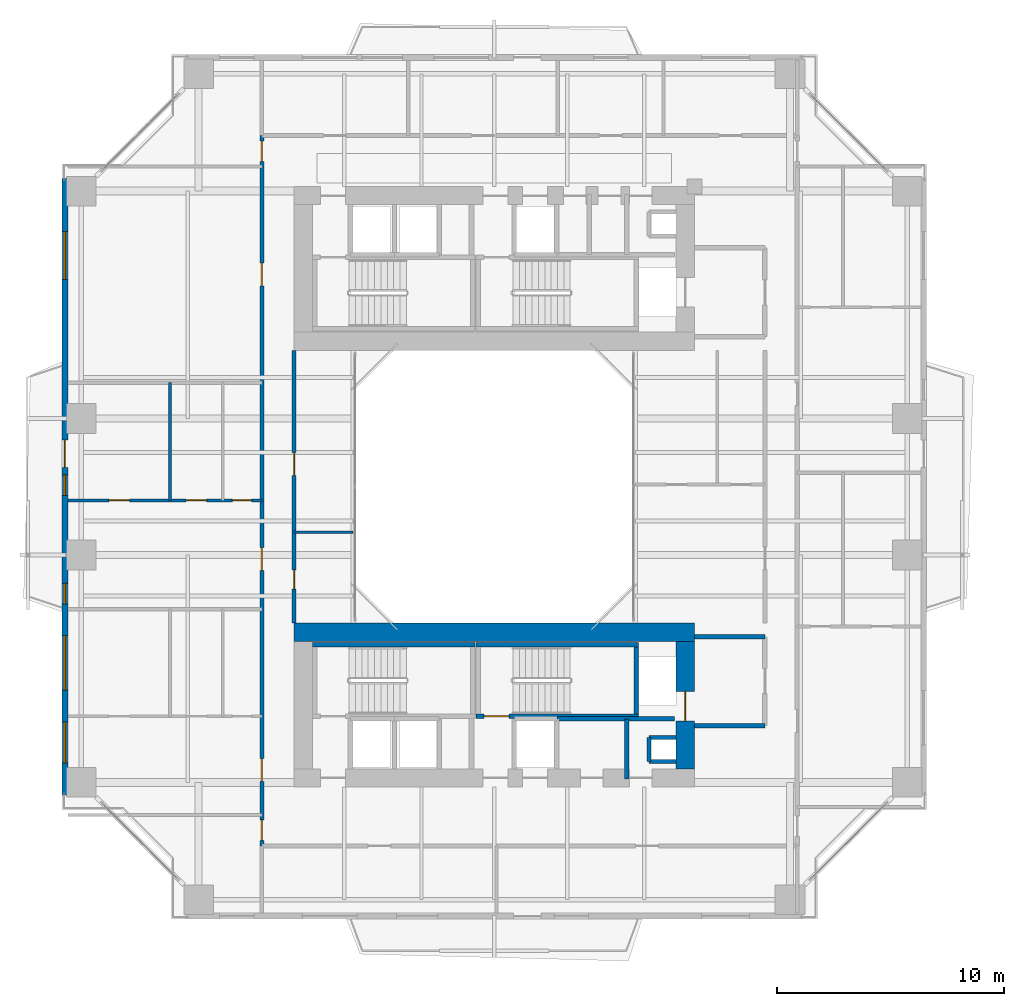
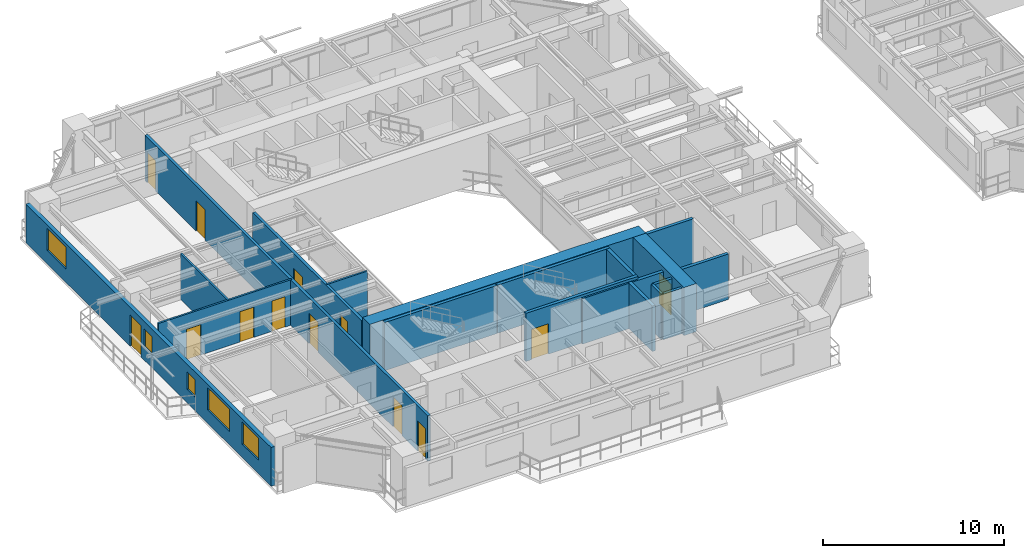
# One storey, part 13 of 24: 19 walls, 13 doors, 5 windows, 18 openings.
"""IFC4 building model written with IfcOpenShell, lengths in metres."""

from ifc_helpers import new_model, si_unit, direction, frame, frame_2d, origin, place, context, subcontext, project, spatial, rectangle, extrude, source, transform, mapped, material, layer, layer_set, type_object, element, fill, save


model = new_model("IFC4")

# Units and contexts
model_context = context("Model", 3, precision=1e-05, world=origin(), true_north=direction((0.0, 1.0)))
body_context = subcontext(model_context, "Body", "Model", "MODEL_VIEW")
ifc_project = project(units=[si_unit("LENGTHUNIT", "METRE"), si_unit("AREAUNIT", "SQUARE_METRE"), si_unit("VOLUMEUNIT", "CUBIC_METRE"), si_unit("PLANEANGLEUNIT", "RADIAN"), si_unit("MASSUNIT", "GRAM", prefix="KILO"), si_unit("THERMODYNAMICTEMPERATUREUNIT", "KELVIN"), si_unit("POWERUNIT", "WATT")], contexts=[model_context])

# Site, building, storey
site_placement = place(None, origin())
site = spatial("IfcSite", under=ifc_project, at=site_placement, CompositionType="ELEMENT")
building_placement = place(site_placement, origin())
building = spatial("IfcBuilding", under=site, at=building_placement, Name="Qiaomeng Ring Towers", CompositionType="ELEMENT")
storey_placement = place(building_placement, frame((0.0, 0.0, 69.75)))
storey = spatial("IfcBuildingStorey", under=building, at=storey_placement, Name="L19", CompositionType="ELEMENT", Elevation=69.75)

# Wall, openings, windows, door
ifc_material_1 = material(Name="Precast concrete C40", Category="concrete")
ifc_layer_1 = layer(ifc_material_1, 0.25, Name="Precast concrete C40")
ifc_layer_set_1 = layer_set([ifc_layer_1], Name="Precast concrete C40")
wall_type_1 = type_object("IfcWallType", Name="ARC-WL-EW1", PredefinedType="STANDARD", material=ifc_layer_set_1)
wall_1_placement = place(storey_placement, frame((0.125, 9.449951171875, 0.0), z_axis=(0.0, 0.0, 1.0), x_axis=(0.0, 1.0, 0.0)))
wall_1 = element("IfcWall", 1, at=wall_1_placement, inside=storey, type_object=wall_type_1, Name="L19 Tower 1 W Exterior Wall", PredefinedType="STANDARD", context=body_context, shape_type="SweptSolid", body=[
    extrude(rectangle(XDim=27.10009765625, YDim=0.25, at=frame_2d((13.550048828125, 0.0))), origin(), (0.0, 0.0, 1.0), 2.610107421875),
])
opening_1_placement = place(wall_1_placement, frame((14.39990234375, 0.0, 0.0)))
opening_1 = element("IfcOpeningElement", 2, at=opening_1_placement, cuts=wall_1, Name="Opening BD1", PredefinedType="OPENING", context=body_context, shape_type="SweptSolid", body=[
    extrude(rectangle(XDim=1.199951171875, YDim=2.10009765625, at=frame_2d((0.60009765625, 1.050048828125))), frame((0.0, 0.135009765625, 0.0), z_axis=(0.0, -1.0, 0.0), x_axis=(1.0, 0.0, 0.0)), (0.0, 0.0, 1.0), 0.27001953125),
])
opening_2_placement = place(wall_1_placement, frame((1.402587890625, 0.0, 0.89990234375)))
opening_2 = element("IfcOpeningElement", 3, at=opening_2_placement, cuts=wall_1, Name="Opening WN1", PredefinedType="OPENING", context=body_context, shape_type="SweptSolid", body=[
    extrude(rectangle(XDim=1.800048828125, YDim=1.5, at=frame_2d((0.89990234375, 0.75))), frame((0.0, 0.135009765625, 0.0), z_axis=(0.0, -1.0, 0.0), x_axis=(1.0, 0.0, 0.0)), (0.0, 0.0, 1.0), 0.27001953125),
])
opening_3_placement = place(wall_1_placement, frame((22.6630859375, 0.0, 0.89990234375)))
opening_3 = element("IfcOpeningElement", 4, at=opening_3_placement, cuts=wall_1, Name="Opening WN4", PredefinedType="OPENING", context=body_context, shape_type="SweptSolid", body=[
    extrude(rectangle(XDim=2.10009765625, YDim=1.47998046875, at=frame_2d((1.050048828125, 0.739990234375))), frame((0.0, 0.135009765625, 0.0), z_axis=(0.0, -1.0, 0.0), x_axis=(1.0, 0.0, 0.0)), (0.0, 0.0, 1.0), 0.27001953125),
])
opening_4_placement = place(wall_1_placement, frame((4.607421875, 0.0, 0.89990234375)))
opening_4 = element("IfcOpeningElement", 5, at=opening_4_placement, cuts=wall_1, Name="Opening WN6", PredefinedType="OPENING", context=body_context, shape_type="SweptSolid", body=[
    extrude(rectangle(XDim=2.39990234375, YDim=1.5, at=frame_2d((1.199951171875, 0.75))), frame((0.0, 0.135009765625, 0.0), z_axis=(0.0, -1.0, 0.0), x_axis=(1.0, 0.0, 0.0)), (0.0, 0.0, 1.0), 0.27001953125),
])
opening_5_placement = place(wall_1_placement, frame((13.169921875, 0.0, 0.89990234375)))
opening_5 = element("IfcOpeningElement", 6, at=opening_5_placement, cuts=wall_1, Name="Opening WN5", PredefinedType="OPENING", context=body_context, shape_type="SweptSolid", body=[
    extrude(rectangle(XDim=0.89990234375, YDim=1.199951171875, at=frame_2d((0.449951171875, 0.60009765625))), frame((0.0, 0.135009765625, 0.0), z_axis=(0.0, -1.0, 0.0), x_axis=(1.0, 0.0, 0.0)), (0.0, 0.0, 1.0), 0.27001953125),
])
opening_6_placement = place(wall_1_placement, frame((8.405029296875, 0.0, 0.89990234375)))
opening_6 = element("IfcOpeningElement", 7, at=opening_6_placement, cuts=wall_1, Name="Opening WN5", PredefinedType="OPENING", context=body_context, shape_type="SweptSolid", body=[
    extrude(rectangle(XDim=0.89990234375, YDim=1.199951171875, at=frame_2d((0.449951171875, 0.60009765625))), frame((0.0, 0.135009765625, 0.0), z_axis=(0.0, -1.0, 0.0), x_axis=(1.0, 0.0, 0.0)), (0.0, 0.0, 1.0), 0.27001953125),
])
ifc_material_2 = material(Name="Low-E dark-grey laminated double glazing", Category="glass")
window_type_1 = type_object("IfcWindowType", Name="ARC-WN-4", PartitioningType="TRIPLE_PANEL_VERTICAL", PredefinedType="WINDOW", material=ifc_material_2)
shared_shape_1 = source(origin(), body_context, "Body", "SweptSolid", [
    extrude(rectangle(XDim=2.10009765625, YDim=1.47998046875, at=frame_2d((1.050048828125, 0.739990234375))), frame((0.0, 0.030029296875, 0.0), z_axis=(0.0, -1.0, 0.0), x_axis=(1.0, 0.0, 0.0)), (0.0, 0.0, 1.0), 0.06005859375),
])
window_1_placement = place(opening_3_placement, origin())
window_1 = element("IfcWindow", 8, at=window_1_placement, inside=storey, type_object=window_type_1, Name="L19 Exterior Window WN4", OverallHeight=1.47998046875, OverallWidth=2.10009765625, PartitioningType="TRIPLE_PANEL_VERTICAL", PredefinedType="WINDOW", context=body_context, shape_type="MappedRepresentation", body=[
    mapped(shared_shape_1, transform((0.0, 0.0, 0.0), x_axis=(1.0, 0.0, 0.0), y_axis=(0.0, 1.0, 0.0), z_axis=(0.0, 0.0, 1.0), scale=1.0)),
])
fill(opening_3, window_1)
door_type_1 = type_object("IfcDoorType", Name="ARC-DR-BD1", OperationType="NOTDEFINED", PredefinedType="DOOR", material=ifc_material_2)
shared_shape_2 = source(origin(), body_context, "Body", "SweptSolid", [
    extrude(rectangle(XDim=1.199951171875, YDim=2.10009765625, at=frame_2d((0.60009765625, 1.050048828125))), frame((0.0, 0.02490234375, 0.0), z_axis=(0.0, -1.0, 0.0), x_axis=(1.0, 0.0, 0.0)), (0.0, 0.0, 1.0), 0.050048828125),
])
door_1_placement = place(opening_1_placement, frame((1.199951171875, 0.0, 0.0), z_axis=(0.0, 0.0, 1.0), x_axis=(-1.0, 0.0, 0.0)))
door_1 = element("IfcDoor", 9, at=door_1_placement, inside=storey, type_object=door_type_1, Name="L19 W Balcony Glazed Door", OperationType="SINGLE_SWING_LEFT", OverallHeight=2.10009765625, OverallWidth=1.199951171875, PredefinedType="DOOR", context=body_context, shape_type="MappedRepresentation", body=[
    mapped(shared_shape_2, transform((0.0, 0.0, 0.0), x_axis=(1.0, 0.0, 0.0), y_axis=(0.0, 1.0, 0.0), z_axis=(0.0, 0.0, 1.0), scale=1.0)),
])
fill(opening_1, door_1)
window_type_2 = type_object("IfcWindowType", Name="ARC-WN-6", PartitioningType="TRIPLE_PANEL_VERTICAL", PredefinedType="WINDOW", material=ifc_material_2)
shared_shape_3 = source(origin(), body_context, "Body", "SweptSolid", [
    extrude(rectangle(XDim=2.39990234375, YDim=1.5, at=frame_2d((1.199951171875, 0.75))), frame((0.0, 0.030029296875, 0.0), z_axis=(0.0, -1.0, 0.0), x_axis=(1.0, 0.0, 0.0)), (0.0, 0.0, 1.0), 0.06005859375),
])
window_2_placement = place(opening_4_placement, origin())
window_2 = element("IfcWindow", 10, at=window_2_placement, inside=storey, type_object=window_type_2, Name="L19 Exterior Window WN6", OverallHeight=1.5, OverallWidth=2.39990234375, PartitioningType="TRIPLE_PANEL_VERTICAL", PredefinedType="WINDOW", context=body_context, shape_type="MappedRepresentation", body=[
    mapped(shared_shape_3, transform((0.0, 0.0, 0.0), x_axis=(1.0, 0.0, 0.0), y_axis=(0.0, 1.0, 0.0), z_axis=(0.0, 0.0, 1.0), scale=1.0)),
])
fill(opening_4, window_2)
window_type_3 = type_object("IfcWindowType", Name="ARC-WN-1", PartitioningType="DOUBLE_PANEL_VERTICAL", PredefinedType="WINDOW", material=ifc_material_2)
shared_shape_4 = source(origin(), body_context, "Body", "SweptSolid", [
    extrude(rectangle(XDim=1.800048828125, YDim=1.5, at=frame_2d((0.89990234375, 0.75))), frame((0.0, 0.030029296875, 0.0), z_axis=(0.0, -1.0, 0.0), x_axis=(1.0, 0.0, 0.0)), (0.0, 0.0, 1.0), 0.06005859375),
])
window_3_placement = place(opening_2_placement, origin())
window_3 = element("IfcWindow", 11, at=window_3_placement, inside=storey, type_object=window_type_3, Name="L19 Exterior Window WN6", OverallHeight=1.5, OverallWidth=1.800048828125, PartitioningType="TRIPLE_PANEL_VERTICAL", PredefinedType="WINDOW", context=body_context, shape_type="MappedRepresentation", body=[
    mapped(shared_shape_4, transform((0.0, 0.0, 0.0), x_axis=(1.0, 0.0, 0.0), y_axis=(0.0, 1.0, 0.0), z_axis=(0.0, 0.0, 1.0), scale=1.0)),
])
fill(opening_2, window_3)
window_type_4 = type_object("IfcWindowType", Name="ARC-WN-5", PartitioningType="SINGLE_PANEL", PredefinedType="WINDOW", material=ifc_material_2)
shared_shape_5 = source(origin(), body_context, "Body", "SweptSolid", [
    extrude(rectangle(XDim=0.89990234375, YDim=1.199951171875, at=frame_2d((0.449951171875, 0.60009765625))), frame((0.0, 0.030029296875, 0.0), z_axis=(0.0, -1.0, 0.0), x_axis=(1.0, 0.0, 0.0)), (0.0, 0.0, 1.0), 0.06005859375),
])
window_4_placement = place(opening_5_placement, origin())
window_4 = element("IfcWindow", 12, at=window_4_placement, inside=storey, type_object=window_type_4, Name="L19 Exterior Window WN5", OverallHeight=1.199951171875, OverallWidth=0.89990234375, PartitioningType="SINGLE_PANEL", PredefinedType="WINDOW", context=body_context, shape_type="MappedRepresentation", body=[
    mapped(shared_shape_5, transform((0.0, 0.0, 0.0), x_axis=(1.0, 0.0, 0.0), y_axis=(0.0, 1.0, 0.0), z_axis=(0.0, 0.0, 1.0), scale=1.0)),
])
fill(opening_5, window_4)
window_5_placement = place(opening_6_placement, origin())
window_5 = element("IfcWindow", 13, at=window_5_placement, inside=storey, type_object=window_type_4, Name="L19 Exterior Window WN5", OverallHeight=1.199951171875, OverallWidth=0.89990234375, PartitioningType="SINGLE_PANEL", PredefinedType="WINDOW", context=body_context, shape_type="MappedRepresentation", body=[
    mapped(shared_shape_5, transform((0.0, 0.0, 0.0), x_axis=(1.0, 0.0, 0.0), y_axis=(0.0, 1.0, 0.0), z_axis=(0.0, 0.0, 1.0), scale=1.0)),
])
fill(opening_6, window_5)

# Walls
ifc_material_3 = material(Name="Autoclaved aerated concrete block", Category="concrete")
ifc_layer_2 = layer(ifc_material_3, 0.199951171875, Name="Autoclaved aerated concrete block")
ifc_layer_set_2 = layer_set([ifc_layer_2], Name="Autoclaved aerated concrete block")
wall_type_2 = type_object("IfcWallType", Name="ARC-WL-PW1", PredefinedType="PARTITIONING", material=ifc_layer_set_2)
for number, where, z_axis, x_axis, name in (
    (14, (27.800048828125, 16.39990234375, 0.0), (0.0, 0.0, 1.0), (1.0, 0.0, 0.0), "L19 Interior Wall PW1"),
    (15, (27.800048828125, 12.5, 0.0), (0.0, 0.0, 1.0), (1.0, 0.0, 0.0), "L19 Interior Wall PW1"),
):
    element("IfcWall", number, at=place(storey_placement, frame(where, z_axis=z_axis, x_axis=x_axis)), inside=storey, type_object=wall_type_2, Name=name, PredefinedType="PARTITIONING", context=body_context, shape_type="SweptSolid", body=[
        extrude(rectangle(XDim=3.099853515625, YDim=0.199951171875, at=frame_2d((1.5498046875, 0.0))), origin(), (0.0, 0.0, 1.0), 3.070068359375),
    ])
wall_2_placement = place(storey_placement, frame((24.820068359375, 10.14990234375, 0.0), z_axis=(0.0, 0.0, 1.0), x_axis=(0.0, 1.0, 0.0)))
element("IfcWall", 16, at=wall_2_placement, inside=storey, type_object=wall_type_2, Name="L19 Interior Wall PW1", PredefinedType="PARTITIONING", context=body_context, shape_type="SweptSolid", body=[
    extrude(rectangle(XDim=2.650146484375, YDim=0.199951171875, at=frame_2d((1.3251953125, 0.0))), origin(), (0.0, 0.0, 1.0), 3.070068359375),
])
wall_3_placement = place(storey_placement, frame((21.75, 12.800048828125, 0.0), z_axis=(0.0, 0.0, 1.0), x_axis=(1.0, 0.0, 0.0)))
element("IfcWall", 17, at=wall_3_placement, inside=storey, type_object=wall_type_2, Name="L19 Interior Wall PW1", PredefinedType="PARTITIONING", context=body_context, shape_type="SweptSolid", body=[
    extrude(rectangle(XDim=5.169921875, YDim=0.199951171875, at=frame_2d((2.5849609375, 0.0))), origin(), (0.0, 0.0, 1.0), 3.070068359375),
])

# Wall, openings, doors
ifc_layer_3 = layer(ifc_material_3, 0.179931640625, Name="Autoclaved aerated concrete block")
ifc_layer_set_3 = layer_set([ifc_layer_3], Name="Autoclaved aerated concrete block")
wall_type_3 = type_object("IfcWallType", Name="ARC-WL-PW2", PredefinedType="PARTITIONING", material=ifc_layer_set_3)
wall_4_placement = place(storey_placement, frame((8.780029296875, 7.2099609375, 0.0), z_axis=(0.0, 0.0, 1.0), x_axis=(0.0, 1.0, 0.0)))
wall_4 = element("IfcWall", 18, at=wall_4_placement, inside=storey, type_object=wall_type_3, Name="L19 Interior Wall PW2", PredefinedType="PARTITIONING", context=body_context, shape_type="SweptSolid", body=[
    extrude(rectangle(XDim=31.22998046875, YDim=0.179931640625, at=frame_2d((15.614990234375, 0.0))), origin(), (0.0, 0.0, 1.0), 3.070068359375),
])
opening_7_placement = place(wall_4_placement, frame((30.090087890625, 0.0, 0.0)))
opening_7 = element("IfcOpeningElement", 19, at=opening_7_placement, cuts=wall_4, Name="Opening ID1", PredefinedType="OPENING", context=body_context, shape_type="SweptSolid", body=[
    extrude(rectangle(XDim=0.89990234375, YDim=2.050048828125, at=frame_2d((0.449951171875, 1.02490234375))), frame((0.0, 0.099853515625, 0.0), z_axis=(0.0, -1.0, 0.0), x_axis=(1.0, 0.0, 0.0)), (0.0, 0.0, 1.0), 0.199951171875),
])
opening_8_placement = place(wall_4_placement, frame((0.239990234375, 0.0, 0.0)))
opening_8 = element("IfcOpeningElement", 20, at=opening_8_placement, cuts=wall_4, Name="Opening ID1", PredefinedType="OPENING", context=body_context, shape_type="SweptSolid", body=[
    extrude(rectangle(XDim=0.89990234375, YDim=2.050048828125, at=frame_2d((0.449951171875, 1.02490234375))), frame((0.0, 0.099853515625, 0.0), z_axis=(0.0, -1.0, 0.0), x_axis=(1.0, 0.0, 0.0)), (0.0, 0.0, 1.0), 0.199951171875),
])
opening_9_placement = place(wall_4_placement, frame((2.840087890625, 0.0, 0.0)))
opening_9 = element("IfcOpeningElement", 21, at=opening_9_placement, cuts=wall_4, Name="Opening FD4", PredefinedType="OPENING", context=body_context, shape_type="SweptSolid", body=[
    extrude(rectangle(XDim=1.0, YDim=2.050048828125, at=frame_2d((0.5, 1.02490234375))), frame((0.0, 0.099853515625, 0.0), z_axis=(0.0, -1.0, 0.0), x_axis=(1.0, 0.0, 0.0)), (0.0, 0.0, 1.0), 0.199951171875),
])
opening_10_placement = place(wall_4_placement, frame((12.110107421875, 0.0, 0.0)))
opening_10 = element("IfcOpeningElement", 22, at=opening_10_placement, cuts=wall_4, Name="Opening FD4", PredefinedType="OPENING", context=body_context, shape_type="SweptSolid", body=[
    extrude(rectangle(XDim=1.0, YDim=2.050048828125, at=frame_2d((0.5, 1.02490234375))), frame((0.0, 0.099853515625, 0.0), z_axis=(0.0, -1.0, 0.0), x_axis=(1.0, 0.0, 0.0)), (0.0, 0.0, 1.0), 0.199951171875),
])
opening_11_placement = place(wall_4_placement, frame((24.6201171875, 0.0, 0.0)))
opening_11 = element("IfcOpeningElement", 23, at=opening_11_placement, cuts=wall_4, Name="Opening FD4", PredefinedType="OPENING", context=body_context, shape_type="SweptSolid", body=[
    extrude(rectangle(XDim=1.0, YDim=2.050048828125, at=frame_2d((0.5, 1.02490234375))), frame((0.0, 0.099853515625, 0.0), z_axis=(0.0, -1.0, 0.0), x_axis=(1.0, 0.0, 0.0)), (0.0, 0.0, 1.0), 0.199951171875),
])
ifc_material_4 = material(Name="Engineered fire-rated oak timber", Category="wood")
door_type_2 = type_object("IfcDoorType", Name="ARC-DR-FD4", OperationType="NOTDEFINED", PredefinedType="DOOR", material=ifc_material_4)
shared_shape_6 = source(origin(), body_context, "Body", "SweptSolid", [
    extrude(rectangle(XDim=1.0, YDim=2.050048828125, at=frame_2d((0.5, 1.02490234375))), frame((0.0, 0.02490234375, 0.0), z_axis=(0.0, -1.0, 0.0), x_axis=(1.0, 0.0, 0.0)), (0.0, 0.0, 1.0), 0.050048828125),
])
door_2_placement = place(opening_9_placement, origin())
door_2 = element("IfcDoor", 24, at=door_2_placement, inside=storey, type_object=door_type_2, Name="L19 Door FD4", OperationType="SINGLE_SWING_RIGHT", OverallHeight=2.050048828125, OverallWidth=1.0, PredefinedType="DOOR", context=body_context, shape_type="MappedRepresentation", body=[
    mapped(shared_shape_6, transform((0.0, 0.0, 0.0), x_axis=(1.0, 0.0, 0.0), y_axis=(0.0, 1.0, 0.0), z_axis=(0.0, 0.0, 1.0), scale=1.0)),
])
fill(opening_9, door_2)
door_3_placement = place(opening_10_placement, origin())
door_3 = element("IfcDoor", 25, at=door_3_placement, inside=storey, type_object=door_type_2, Name="L19 Door FD4", OperationType="SINGLE_SWING_RIGHT", OverallHeight=2.050048828125, OverallWidth=1.0, PredefinedType="DOOR", context=body_context, shape_type="MappedRepresentation", body=[
    mapped(shared_shape_6, transform((0.0, 0.0, 0.0), x_axis=(1.0, 0.0, 0.0), y_axis=(0.0, 1.0, 0.0), z_axis=(0.0, 0.0, 1.0), scale=1.0)),
])
fill(opening_10, door_3)
door_4_placement = place(opening_11_placement, origin())
door_4 = element("IfcDoor", 26, at=door_4_placement, inside=storey, type_object=door_type_2, Name="L19 Door FD4", OperationType="SINGLE_SWING_LEFT", OverallHeight=2.050048828125, OverallWidth=1.0, PredefinedType="DOOR", context=body_context, shape_type="MappedRepresentation", body=[
    mapped(shared_shape_6, transform((0.0, 0.0, 0.0), x_axis=(1.0, 0.0, 0.0), y_axis=(0.0, 1.0, 0.0), z_axis=(0.0, 0.0, 1.0), scale=1.0)),
])
fill(opening_11, door_4)
ifc_material_5 = material(Name="Engineered oak timber", Category="wood")
door_type_3 = type_object("IfcDoorType", Name="ARC-DR-ID1", OperationType="NOTDEFINED", PredefinedType="DOOR", material=ifc_material_5)
shared_shape_7 = source(origin(), body_context, "Body", "SweptSolid", [
    extrude(rectangle(XDim=0.89990234375, YDim=2.050048828125, at=frame_2d((0.449951171875, 1.02490234375))), frame((0.0, 0.02490234375, 0.0), z_axis=(0.0, -1.0, 0.0), x_axis=(1.0, 0.0, 0.0)), (0.0, 0.0, 1.0), 0.050048828125),
])
door_5_placement = place(opening_7_placement, origin())
door_5 = element("IfcDoor", 27, at=door_5_placement, inside=storey, type_object=door_type_3, Name="L19 Door ID1", OperationType="SINGLE_SWING_LEFT", OverallHeight=2.050048828125, OverallWidth=0.89990234375, PredefinedType="DOOR", context=body_context, shape_type="MappedRepresentation", body=[
    mapped(shared_shape_7, transform((0.0, 0.0, 0.0), x_axis=(1.0, 0.0, 0.0), y_axis=(0.0, 1.0, 0.0), z_axis=(0.0, 0.0, 1.0), scale=1.0)),
])
fill(opening_7, door_5)
door_6_placement = place(opening_8_placement, origin())
door_6 = element("IfcDoor", 28, at=door_6_placement, inside=storey, type_object=door_type_3, Name="L19 Door ID1", OperationType="SINGLE_SWING_RIGHT", OverallHeight=2.050048828125, OverallWidth=0.89990234375, PredefinedType="DOOR", context=body_context, shape_type="MappedRepresentation", body=[
    mapped(shared_shape_7, transform((0.0, 0.0, 0.0), x_axis=(1.0, 0.0, 0.0), y_axis=(0.0, 1.0, 0.0), z_axis=(0.0, 0.0, 1.0), scale=1.0)),
])
fill(opening_8, door_6)

wall_5_placement = place(storey_placement, frame((10.199951171875, 17.0, 0.0), z_axis=(0.0, 0.0, 1.0), x_axis=(0.0, 1.0, 0.0)))
wall_5 = element("IfcWall", 29, at=wall_5_placement, inside=storey, type_object=wall_type_3, Name="L19 Interior Wall PW2", PredefinedType="PARTITIONING", context=body_context, shape_type="SweptSolid", body=[
    extrude(rectangle(XDim=12.0, YDim=0.179931640625, at=frame_2d((6.0, 0.0))), origin(), (0.0, 0.0, 1.0), 3.070068359375),
])
opening_12_placement = place(wall_5_placement, frame((1.5, 0.0, 0.0)))
opening_12 = element("IfcOpeningElement", 30, at=opening_12_placement, cuts=wall_5, Name="Opening ID2", PredefinedType="OPENING", context=body_context, shape_type="SweptSolid", body=[
    extrude(rectangle(XDim=0.85009765625, YDim=2.050048828125, at=frame_2d((0.425048828125, 1.02490234375))), frame((0.0, 0.099853515625, 0.0), z_axis=(0.0, -1.0, 0.0), x_axis=(1.0, 0.0, 0.0)), (0.0, 0.0, 1.0), 0.199951171875),
])
opening_13_placement = place(wall_5_placement, frame((6.5, 0.0, 0.0)))
opening_13 = element("IfcOpeningElement", 31, at=opening_13_placement, cuts=wall_5, Name="Opening FD4", PredefinedType="OPENING", context=body_context, shape_type="SweptSolid", body=[
    extrude(rectangle(XDim=1.0, YDim=2.050048828125, at=frame_2d((0.5, 1.02490234375))), frame((0.0, 0.099853515625, 0.0), z_axis=(0.0, -1.0, 0.0), x_axis=(1.0, 0.0, 0.0)), (0.0, 0.0, 1.0), 0.199951171875),
])
door_7_placement = place(opening_13_placement, origin())
door_7 = element("IfcDoor", 32, at=door_7_placement, inside=storey, type_object=door_type_2, Name="L19 Door FD4", OperationType="SINGLE_SWING_LEFT", OverallHeight=2.050048828125, OverallWidth=1.0, PredefinedType="DOOR", context=body_context, shape_type="MappedRepresentation", body=[
    mapped(shared_shape_6, transform((0.0, 0.0, 0.0), x_axis=(1.0, 0.0, 0.0), y_axis=(0.0, 1.0, 0.0), z_axis=(0.0, 0.0, 1.0), scale=1.0)),
])
fill(opening_13, door_7)
ifc_material_6 = material(Name="Moisture-resistant engineered timber", Category="wood")
door_type_4 = type_object("IfcDoorType", Name="ARC-DR-ID2", OperationType="NOTDEFINED", PredefinedType="DOOR", material=ifc_material_6)
shared_shape_8 = source(origin(), body_context, "Body", "SweptSolid", [
    extrude(rectangle(XDim=0.85009765625, YDim=2.050048828125, at=frame_2d((0.425048828125, 1.02490234375))), frame((0.0, 0.02490234375, 0.0), z_axis=(0.0, -1.0, 0.0), x_axis=(1.0, 0.0, 0.0)), (0.0, 0.0, 1.0), 0.050048828125),
])
door_8_placement = place(opening_12_placement, origin())
door_8 = element("IfcDoor", 33, at=door_8_placement, inside=storey, type_object=door_type_4, Name="L19 Door ID2", OperationType="SINGLE_SWING_RIGHT", OverallHeight=2.050048828125, OverallWidth=0.85009765625, PredefinedType="DOOR", context=body_context, shape_type="MappedRepresentation", body=[
    mapped(shared_shape_8, transform((0.0, 0.0, 0.0), x_axis=(1.0, 0.0, 0.0), y_axis=(0.0, 1.0, 0.0), z_axis=(0.0, 0.0, 1.0), scale=1.0)),
])
fill(opening_12, door_8)

ifc_material_7 = material(Name="Moisture-resistant gypsum steel-stud partition", Category="steel")
ifc_layer_4 = layer(ifc_material_7, 0.1201171875, Name="Moisture-resistant gypsum steel-stud partition")
ifc_layer_set_4 = layer_set([ifc_layer_4], Name="Moisture-resistant gypsum steel-stud partition")
wall_type_4 = type_object("IfcWallType", Name="ARC-WL-PW4", PredefinedType="PLUMBINGWALL", material=ifc_layer_set_4)
wall_6_placement = place(storey_placement, frame((0.25, 22.39990234375, 0.0), z_axis=(0.0, 0.0, 1.0), x_axis=(1.0, 0.0, 0.0)))
wall_6 = element("IfcWall", 34, at=wall_6_placement, inside=storey, type_object=wall_type_4, Name="L19 Interior Wall PW4", PredefinedType="PLUMBINGWALL", context=body_context, shape_type="SweptSolid", body=[
    extrude(rectangle(XDim=8.530029296875, YDim=0.1201171875, at=frame_2d((4.26513671875, 0.0))), origin(), (0.0, 0.0, 1.0), 3.070068359375),
])
opening_14_placement = place(wall_6_placement, frame((1.804931640625, 0.0, 0.0)))
opening_14 = element("IfcOpeningElement", 35, at=opening_14_placement, cuts=wall_6, Name="Opening ID1", PredefinedType="OPENING", context=body_context, shape_type="SweptSolid", body=[
    extrude(rectangle(XDim=0.89990234375, YDim=2.050048828125, at=frame_2d((0.449951171875, 1.02490234375))), frame((0.0, 0.070068359375, 0.0), z_axis=(0.0, -1.0, 0.0), x_axis=(1.0, 0.0, 0.0)), (0.0, 0.0, 1.0), 0.14013671875),
])
opening_15_placement = place(wall_6_placement, frame((5.199951171875, 0.0, 0.0)))
opening_15 = element("IfcOpeningElement", 36, at=opening_15_placement, cuts=wall_6, Name="Opening ID1", PredefinedType="OPENING", context=body_context, shape_type="SweptSolid", body=[
    extrude(rectangle(XDim=0.89990234375, YDim=2.050048828125, at=frame_2d((0.449951171875, 1.02490234375))), frame((0.0, 0.070068359375, 0.0), z_axis=(0.0, -1.0, 0.0), x_axis=(1.0, 0.0, 0.0)), (0.0, 0.0, 1.0), 0.14013671875),
])
opening_16_placement = place(wall_6_placement, frame((7.235107421875, 0.0, 0.0)))
opening_16 = element("IfcOpeningElement", 37, at=opening_16_placement, cuts=wall_6, Name="Opening ID2", PredefinedType="OPENING", context=body_context, shape_type="SweptSolid", body=[
    extrude(rectangle(XDim=0.85009765625, YDim=2.050048828125, at=frame_2d((0.425048828125, 1.02490234375))), frame((0.0, 0.070068359375, 0.0), z_axis=(0.0, -1.0, 0.0), x_axis=(1.0, 0.0, 0.0)), (0.0, 0.0, 1.0), 0.14013671875),
])
door_9_placement = place(opening_16_placement, origin())
door_9 = element("IfcDoor", 38, at=door_9_placement, inside=storey, type_object=door_type_4, Name="L19 Door ID2", OperationType="SINGLE_SWING_LEFT", OverallHeight=2.050048828125, OverallWidth=0.85009765625, PredefinedType="DOOR", context=body_context, shape_type="MappedRepresentation", body=[
    mapped(shared_shape_8, transform((0.0, 0.0, 0.0), x_axis=(1.0, 0.0, 0.0), y_axis=(0.0, 1.0, 0.0), z_axis=(0.0, 0.0, 1.0), scale=1.0)),
])
fill(opening_16, door_9)
door_10_placement = place(opening_14_placement, origin())
door_10 = element("IfcDoor", 39, at=door_10_placement, inside=storey, type_object=door_type_3, Name="L19 Door ID1", OperationType="SINGLE_SWING_LEFT", OverallHeight=2.050048828125, OverallWidth=0.89990234375, PredefinedType="DOOR", context=body_context, shape_type="MappedRepresentation", body=[
    mapped(shared_shape_7, transform((0.0, 0.0, 0.0), x_axis=(1.0, 0.0, 0.0), y_axis=(0.0, 1.0, 0.0), z_axis=(0.0, 0.0, 1.0), scale=1.0)),
])
fill(opening_14, door_10)
door_11_placement = place(opening_15_placement, origin())
door_11 = element("IfcDoor", 40, at=door_11_placement, inside=storey, type_object=door_type_3, Name="L19 Door ID1", OperationType="SINGLE_SWING_RIGHT", OverallHeight=2.050048828125, OverallWidth=0.89990234375, PredefinedType="DOOR", context=body_context, shape_type="MappedRepresentation", body=[
    mapped(shared_shape_7, transform((0.0, 0.0, 0.0), x_axis=(1.0, 0.0, 0.0), y_axis=(0.0, 1.0, 0.0), z_axis=(0.0, 0.0, 1.0), scale=1.0)),
])
fill(opening_15, door_11)

# Walls
wall_7_placement = place(storey_placement, frame((4.739990234375, 22.39990234375, 0.0), z_axis=(0.0, 0.0, 1.0), x_axis=(0.0, 1.0, 0.0)))
element("IfcWall", 41, at=wall_7_placement, inside=storey, type_object=wall_type_4, Name="L19 Interior Wall PW4", PredefinedType="PLUMBINGWALL", context=body_context, shape_type="SweptSolid", body=[
    extrude(rectangle(XDim=5.18017578125, YDim=0.1201171875, at=frame_2d((2.590087890625, 0.0))), origin(), (0.0, 0.0, 1.0), 3.070068359375),
])
wall_8_placement = place(storey_placement, frame((10.199951171875, 21.0, 0.0), z_axis=(0.0, 0.0, 1.0), x_axis=(1.0, 0.0, 0.0)))
element("IfcWall", 42, at=wall_8_placement, inside=storey, type_object=wall_type_4, Name="L19 Interior Wall PW4", PredefinedType="PLUMBINGWALL", context=body_context, shape_type="SweptSolid", body=[
    extrude(rectangle(XDim=2.580078125, YDim=0.1201171875, at=frame_2d((1.2900390625, 0.0))), origin(), (0.0, 0.0, 1.0), 3.070068359375),
])
ifc_material_8 = material(Name="Concrete C40", Category="concrete")
ifc_layer_5 = layer(ifc_material_8, 0.199951171875, Name="Concrete C40")
ifc_layer_set_5 = layer_set([ifc_layer_5], Name="Concrete C40")
wall_type_5 = type_object("IfcWallType", Name="STR-WL-STSHAFT", PredefinedType="SHEAR", material=ifc_layer_set_5)
wall_9_placement = place(storey_placement, frame((25.800048828125, 10.919921875, 0.0), z_axis=(0.0, 0.0, 1.0), x_axis=(0.0, 1.0, 0.0)))
element("IfcWall", 43, at=wall_9_placement, inside=storey, type_object=wall_type_5, Name="L19 Riser RSR1 West Shaft Wall S", PredefinedType="SHEAR", context=body_context, shape_type="SweptSolid", body=[
    extrude(rectangle(XDim=1.06005859375, YDim=0.179931640625, at=frame_2d((0.530029296875, 0.0))), origin(), (0.0, 0.0, 1.0), 3.070068359375),
])
for number, where, z_axis, x_axis, name in (
    (44, (25.800048828125, 11.97998046875, 0.0), (0.0, 0.0, 1.0), (1.0, 0.0, 0.0), "L19 Riser RSR1 North Shaft Wall S"),
    (45, (25.800048828125, 10.919921875, 0.0), (0.0, 0.0, 1.0), (1.0, 0.0, 0.0), "L19 Riser RSR1 South Shaft Wall S"),
):
    element("IfcWall", number, at=place(storey_placement, frame(where, z_axis=z_axis, x_axis=x_axis)), inside=storey, type_object=wall_type_5, Name=name, PredefinedType="SHEAR", context=body_context, shape_type="SweptSolid", body=[
        extrude(rectangle(XDim=1.199951171875, YDim=0.179931640625, at=frame_2d((0.60009765625, 0.0))), origin(), (0.0, 0.0, 1.0), 3.070068359375),
    ])
wall_10_placement = place(storey_placement, frame((11.0, 16.050048828125, 0.0), z_axis=(0.0, 0.0, 1.0), x_axis=(1.0, 0.0, 0.0)))
element("IfcWall", 46, at=wall_10_placement, inside=storey, type_object=wall_type_5, Name="L19 Stair ST3 North Shaft Shear Wall", PredefinedType="SHEAR", context=body_context, shape_type="SweptSolid", body=[
    extrude(rectangle(XDim=7.14990234375, YDim=0.199951171875, at=frame_2d((3.574951171875, 0.0))), origin(), (0.0, 0.0, 1.0), 3.25),
])

# Wall, opening, door
wall_11_placement = place(storey_placement, frame((18.199951171875, 12.909912109375, 0.0), z_axis=(0.0, 0.0, 1.0), x_axis=(1.0, 0.0, 0.0)))
wall_11 = element("IfcWall", 47, at=wall_11_placement, inside=storey, type_object=wall_type_5, Name="L19 Stair ST4 South Shaft Shear Wall", PredefinedType="SHEAR", context=body_context, shape_type="SweptSolid", body=[
    extrude(rectangle(XDim=7.150146484375, YDim=0.199951171875, at=frame_2d((3.5751953125, 0.0))), origin(), (0.0, 0.0, 1.0), 3.25),
])
opening_17_placement = place(wall_11_placement, frame((0.35009765625, 0.0, 0.0)))
opening_17 = element("IfcOpeningElement", 48, at=opening_17_placement, cuts=wall_11, Name="Opening FD3", PredefinedType="OPENING", context=body_context, shape_type="SweptSolid", body=[
    extrude(rectangle(XDim=1.10009765625, YDim=2.050048828125, at=frame_2d((0.550048828125, 1.02490234375))), frame((0.0, 0.10986328125, 0.0), z_axis=(0.0, -1.0, 0.0), x_axis=(1.0, 0.0, 0.0)), (0.0, 0.0, 1.0), 0.219970703125),
])
ifc_material_9 = material(Name="Galvanised steel", Category="steel")
door_type_5 = type_object("IfcDoorType", Name="ARC-DR-FD3", OperationType="NOTDEFINED", PredefinedType="DOOR", material=ifc_material_9)
shared_shape_9 = source(origin(), body_context, "Body", "SweptSolid", [
    extrude(rectangle(XDim=1.10009765625, YDim=2.050048828125, at=frame_2d((0.550048828125, 1.02490234375))), frame((0.0, 0.02490234375, 0.0), z_axis=(0.0, -1.0, 0.0), x_axis=(1.0, 0.0, 0.0)), (0.0, 0.0, 1.0), 0.050048828125),
])
door_12_placement = place(opening_17_placement, frame((1.10009765625, 0.0, 0.0), z_axis=(0.0, 0.0, 1.0), x_axis=(-1.0, 0.0, 0.0)))
door_12 = element("IfcDoor", 49, at=door_12_placement, inside=storey, type_object=door_type_5, Name="L19 Stair ST4 Exit Door", OperationType="SINGLE_SWING_LEFT", OverallHeight=2.050048828125, OverallWidth=1.10009765625, PredefinedType="DOOR", context=body_context, shape_type="MappedRepresentation", body=[
    mapped(shared_shape_9, transform((0.0, 0.0, 0.0), x_axis=(1.0, 0.0, 0.0), y_axis=(0.0, 1.0, 0.0), z_axis=(0.0, 0.0, 1.0), scale=1.0)),
])
fill(opening_17, door_12)

# Walls
wall_12_placement = place(storey_placement, frame((18.199951171875, 16.050048828125, 0.0), z_axis=(0.0, 0.0, 1.0), x_axis=(1.0, 0.0, 0.0)))
element("IfcWall", 50, at=wall_12_placement, inside=storey, type_object=wall_type_5, Name="L19 Stair ST4 North Shaft Shear Wall", PredefinedType="SHEAR", context=body_context, shape_type="SweptSolid", body=[
    extrude(rectangle(XDim=7.150146484375, YDim=0.199951171875, at=frame_2d((3.5751953125, 0.0))), origin(), (0.0, 0.0, 1.0), 3.25),
])
wall_13_placement = place(storey_placement, frame((25.25, 13.010009765625, 0.0), z_axis=(0.0, 0.0, 1.0), x_axis=(0.0, 1.0, 0.0)))
element("IfcWall", 51, at=wall_13_placement, inside=storey, type_object=wall_type_5, Name="L19 Stair ST4 East Shaft Shear Wall", PredefinedType="SHEAR", context=body_context, shape_type="SweptSolid", body=[
    extrude(rectangle(XDim=2.93994140625, YDim=0.199951171875, at=frame_2d((1.469970703125, 0.0))), origin(), (0.0, 0.0, 1.0), 3.25),
])
ifc_material_10 = material(Name="Concrete C60", Category="concrete")
ifc_layer_6 = layer(ifc_material_10, 0.800048828125, Name="Concrete C60")
ifc_layer_set_6 = layer_set([ifc_layer_6], Name="Concrete C60")
wall_type_6 = type_object("IfcWallType", Name="STR-WL-SW1", PredefinedType="SHEAR", material=ifc_layer_set_6)
wall_14_placement = place(storey_placement, frame((10.199951171875, 16.60009765625, 0.0), z_axis=(0.0, 0.0, 1.0), x_axis=(1.0, 0.0, 0.0)))
element("IfcWall", 52, at=wall_14_placement, inside=storey, type_object=wall_type_6, Name="L19 T1SC north core shear wall", PredefinedType="SHEAR", context=body_context, shape_type="SweptSolid", body=[
    extrude(rectangle(XDim=17.60009765625, YDim=0.800048828125, at=frame_2d((8.800048828125, 0.0))), origin(), (0.0, 0.0, 1.0), 3.25),
])

# Wall, opening, door
wall_15_placement = place(storey_placement, frame((27.39990234375, 10.60009765625, 0.0), z_axis=(0.0, 0.0, 1.0), x_axis=(0.0, 1.0, 0.0)))
wall_15 = element("IfcWall", 53, at=wall_15_placement, inside=storey, type_object=wall_type_6, Name="L19 T1SC east core shear wall", PredefinedType="SHEAR", context=body_context, shape_type="SweptSolid", body=[
    extrude(rectangle(XDim=5.599853515625, YDim=0.800048828125, at=frame_2d((2.7998046875, 0.0))), origin(), (0.0, 0.0, 1.0), 3.25),
])
opening_18_placement = place(wall_15_placement, frame((2.10009765625, 0.0, 0.0)))
opening_18 = element("IfcOpeningElement", 54, at=opening_18_placement, cuts=wall_15, Name="Opening LD2", PredefinedType="OPENING", context=body_context, shape_type="SweptSolid", body=[
    extrude(rectangle(XDim=1.300048828125, YDim=2.050048828125, at=frame_2d((0.64990234375, 1.02490234375))), frame((0.0, 0.409912109375, 0.0), z_axis=(0.0, -1.0, 0.0), x_axis=(1.0, 0.0, 0.0)), (0.0, 0.0, 1.0), 0.820068359375),
])
ifc_material_11 = material(Name="Stainless steel 316", Category="steel")
door_type_6 = type_object("IfcDoorType", Name="ARC-DR-LD2", OperationType="NOTDEFINED", PredefinedType="DOOR", material=ifc_material_11)
shared_shape_10 = source(origin(), body_context, "Body", "SweptSolid", [
    extrude(rectangle(XDim=1.300048828125, YDim=2.050048828125, at=frame_2d((0.64990234375, 1.02490234375))), frame((0.0, 0.02490234375, 0.0), z_axis=(0.0, -1.0, 0.0), x_axis=(1.0, 0.0, 0.0)), (0.0, 0.0, 1.0), 0.050048828125),
])
door_13_placement = place(opening_18_placement, origin())
door_13 = element("IfcDoor", 55, at=door_13_placement, inside=storey, type_object=door_type_6, Name="L19 Firefighting Lift FL2 Landing Door", OperationType="SLIDING_TO_RIGHT", OverallHeight=2.050048828125, OverallWidth=1.300048828125, PredefinedType="DOOR", context=body_context, shape_type="MappedRepresentation", body=[
    mapped(shared_shape_10, transform((0.0, 0.0, 0.0), x_axis=(1.0, 0.0, 0.0), y_axis=(0.0, 1.0, 0.0), z_axis=(0.0, 0.0, 1.0), scale=1.0)),
])
fill(opening_18, door_13)

save(model, "model.ifc")
